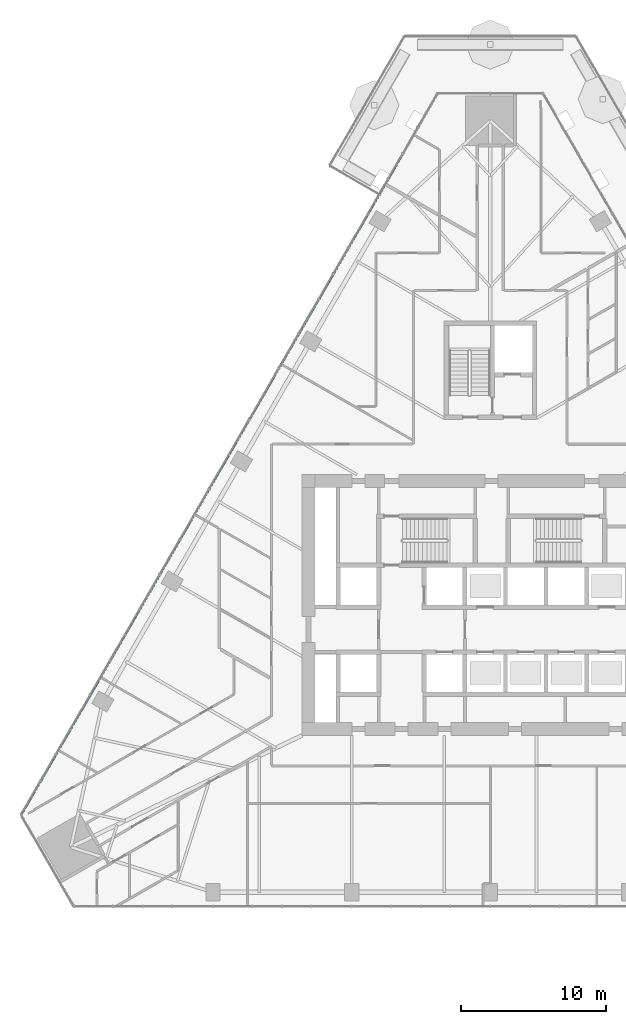
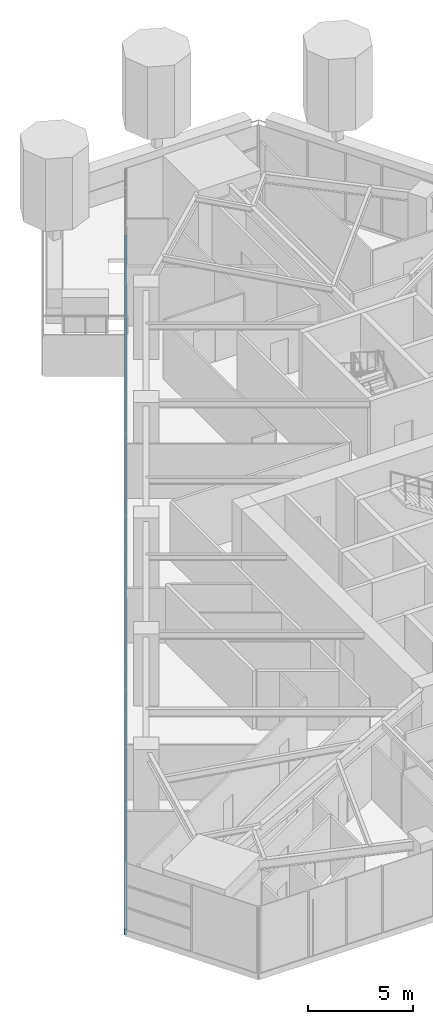
# One storey, part 8 of 26: 1 member, 1 element without a shape of its own.
"""IFC4 building model written with IfcOpenShell, lengths in metres."""

from ifc_helpers import new_model, si_unit, direction, frame, origin, origin_2d, place, context, subcontext, project, spatial, rectangle, extrude, material, layer, layer_set, material_profile, profile_set, type_object, element, aggregate, save


model = new_model("IFC4")

# Units and contexts
model_context = context("Model", 3, precision=1e-05, world=origin(), true_north=direction((0.0, 1.0)))
body_context = subcontext(model_context, "Body", "Model", "MODEL_VIEW")
ifc_project = project(units=[si_unit("LENGTHUNIT", "METRE"), si_unit("AREAUNIT", "SQUARE_METRE"), si_unit("VOLUMEUNIT", "CUBIC_METRE"), si_unit("PLANEANGLEUNIT", "RADIAN"), si_unit("MASSUNIT", "GRAM", prefix="KILO")], contexts=[model_context])

# Site, building, storey
site_placement = place(None, origin())
site = spatial("IfcSite", under=ifc_project, at=site_placement, CompositionType="ELEMENT")
building_placement = place(site_placement, origin())
building = spatial("IfcBuilding", under=site, at=building_placement, Name="Firuza Gate Tower and Library", CompositionType="ELEMENT")
storey_placement = place(building_placement, frame((0.0, 0.0, 52.60009765625)))
storey = spatial("IfcBuildingStorey", under=building, at=storey_placement, Name="L11", CompositionType="ELEMENT", Elevation=52.60009765625)

# Curtain wall, member
ifc_material_1 = material(Name="Aluminium 6063-T6", Category="aluminium")
ifc_layer = layer(ifc_material_1, 0.14990234375)
ifc_layer_set = layer_set([ifc_layer], Name="Unitised curtain wall, offices")
curtain_wall_type = type_object("IfcCurtainWallType", Name="Unitised curtain wall, offices", PredefinedType="NOTDEFINED", material=ifc_layer_set)
curtain_wall_placement = place(storey_placement, origin())
curtain_wall = element("IfcCurtainWall", 1, at=curtain_wall_placement, inside=storey, type_object=curtain_wall_type, Name="CW1 L11 W face", PredefinedType="NOTDEFINED")
ifc_material_2 = material(Name="Aluminium 6063-T6", Category="aluminium")
ifc_material_profile = material_profile(ifc_material_2, rectangle(XDim=0.14990234375, YDim=0.35009765625, at=origin_2d()))
ifc_profile_set = profile_set([ifc_material_profile], Name="Aluminium 6063-T6")
member_type = type_object("IfcMemberType", Name="Curtain wall transom 350x150", PredefinedType="USERDEFINED", material=ifc_profile_set)
member_placement = place(storey_placement, frame((71.356689453125, 110.29541015625, -0.025146484375), z_axis=(-0.499998032478, -0.866026539731, 0.0), x_axis=(0.866026539731, -0.499998032478, 0.0)))
member = element("IfcMember", 2, at=member_placement, type_object=member_type, Name="Transom", ObjectType="TRANSOM", PredefinedType="USERDEFINED", context=body_context, shape_type="SweptSolid", body=[
    extrude(rectangle(XDim=0.14990234375, YDim=0.35009765625, at=origin_2d()), origin(), (0.0, 0.0, 1.0), 57.489990234375),
])
aggregate(curtain_wall, [member])

save(model, "model.ifc")
